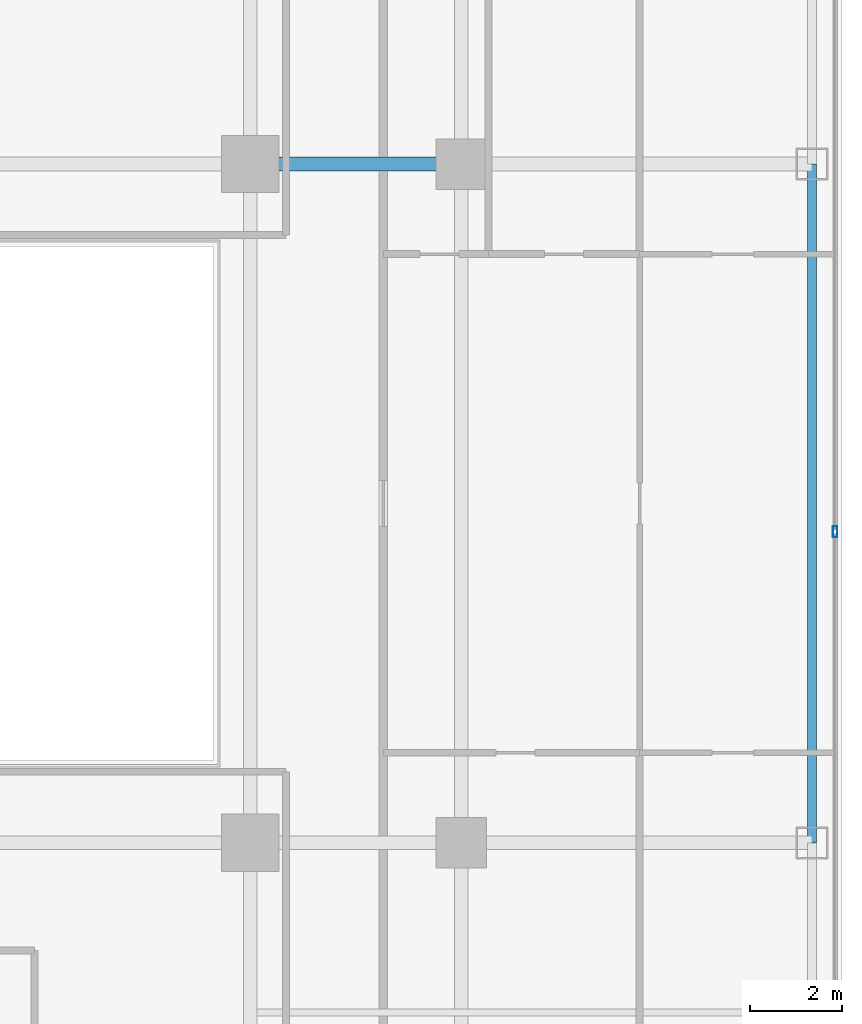
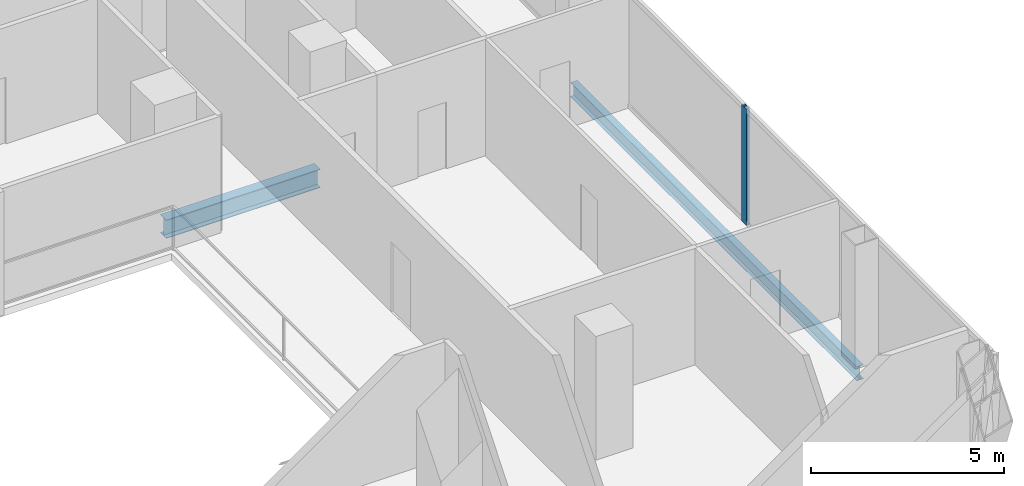
# One storey, part 11 of 28: 2 beams, 1 member, 1 element without a shape of its own.
"""IFC4 building model written with IfcOpenShell, lengths in metres."""

from ifc_helpers import new_model, si_unit, direction, frame, origin, origin_2d, place, context, subcontext, project, spatial, hollow_rectangle, i_section, extrude, material, layer, layer_set, material_profile, profile_set, type_object, element, aggregate, save


model = new_model("IFC4")

# Units and contexts
model_context = context("Model", 3, precision=1e-05, world=origin(), true_north=direction((0.0, 1.0)))
body_context = subcontext(model_context, "Body", "Model", "MODEL_VIEW")
ifc_project = project(units=[si_unit("LENGTHUNIT", "METRE"), si_unit("AREAUNIT", "SQUARE_METRE"), si_unit("VOLUMEUNIT", "CUBIC_METRE"), si_unit("PLANEANGLEUNIT", "RADIAN"), si_unit("MASSUNIT", "GRAM", prefix="KILO")], contexts=[model_context])

# Site, building, storey
site_placement = place(None, origin())
site = spatial("IfcSite", under=ifc_project, at=site_placement, CompositionType="ELEMENT")
building_placement = place(site_placement, origin())
building = spatial("IfcBuilding", under=site, at=building_placement, Name="Khorvyn Point Tower", CompositionType="ELEMENT")
storey_placement = place(building_placement, frame((0.0, 0.0, 121.199951171875)))
storey = spatial("IfcBuildingStorey", under=building, at=storey_placement, Name="L30", CompositionType="ELEMENT", Elevation=121.199951171875)

# Curtain wall, member
ifc_material_1 = material(Name="Anodised aluminium 6063-T6 and laminated Low-E glass", Category="aluminium")
ifc_layer = layer(ifc_material_1, 0.18994140625)
ifc_layer_set = layer_set([ifc_layer], Name="Stick-Built Acoustic Curtain Wall CW-SYS-03")
curtain_wall_type = type_object("IfcCurtainWallType", Name="Stick-Built Acoustic Curtain Wall CW-SYS-03", PredefinedType="NOTDEFINED", material=ifc_layer_set)
curtain_wall_placement = place(storey_placement, origin())
curtain_wall = element("IfcCurtainWall", 1, at=curtain_wall_placement, inside=storey, type_object=curtain_wall_type, Name="Curtain Wall", PredefinedType="NOTDEFINED")
ifc_material_2 = material(Name="Anodised aluminium 6063-T6", Category="aluminium")
ifc_material_profile_1 = material_profile(ifc_material_2, hollow_rectangle(XDim=0.10009765625, YDim=0.239990234375, WallThickness=0.0048828125, at=origin_2d()))
ifc_profile_set_1 = profile_set([ifc_material_profile_1], Name="Anodised aluminium 6063-T6 ALU-MUL-100x240")
member_type = type_object("IfcMemberType", Name="Anodised Aluminium 6063-T6 Mullion ALU-MUL-100x240", PredefinedType="MULLION", material=ifc_profile_set_1)
member_placement = place(storey_placement, frame((27.550048828125, -0.61669921875, 0.0), z_axis=(0.0, 0.0, 1.0), x_axis=(1.0, 0.0, 0.0)))
member = element("IfcMember", 2, at=member_placement, type_object=member_type, Name="Transom", PredefinedType="MULLION", context=body_context, shape_type="SweptSolid", body=[
    extrude(hollow_rectangle(XDim=0.10009765625, YDim=0.239990234375, WallThickness=0.0048828125, at=origin_2d()), origin(), (0.0, 0.0, 1.0), 3.679931640625),
])
aggregate(curtain_wall, [member])

# Beams
ifc_material_3 = material(Name="Steel S355", Category="steel")
ifc_material_profile_2 = material_profile(ifc_material_3, i_section(OverallWidth=0.300048828125, OverallDepth=0.587890625, WebThickness=0.011962890625, FlangeThickness=0.02001953125, at=origin_2d()))
ifc_profile_set_2 = profile_set([ifc_material_profile_2], Name="Steel S355 H588x300x12x20")
beam_type_1 = type_object("IfcBeamType", Name="Steel S355 Beam H588x300x12x20", PredefinedType="BEAM", material=ifc_profile_set_2)
beam_1_placement = place(storey_placement, frame((14.800048828125, 7.39990234375, -0.513916015625), z_axis=(1.0, 0.0, 0.0), x_axis=(0.0, 1.0, 0.0)))
element("IfcBeam", 3, at=beam_1_placement, inside=storey, type_object=beam_type_1, Name="Beam", PredefinedType="BEAM", context=body_context, shape_type="SweptSolid", body=[
    extrude(i_section(OverallWidth=0.300048828125, OverallDepth=0.587890625, WebThickness=0.011962890625, FlangeThickness=0.02001953125, at=origin_2d()), origin(), (0.0, 0.0, 1.0), 4.599853515625),
])
ifc_material_profile_3 = material_profile(ifc_material_3, i_section(OverallWidth=0.199951171875, OverallDepth=0.449951171875, WebThickness=0.009033203125, FlangeThickness=0.013916015625, at=origin_2d()))
ifc_profile_set_3 = profile_set([ifc_material_profile_3], Name="Steel S355 H450x200x9x14")
beam_type_2 = type_object("IfcBeamType", Name="Steel S355 Spandrel H450x200x9x14", PredefinedType="SPANDREL", material=ifc_profile_set_3)
beam_2_placement = place(storey_placement, frame((27.050048828125, -7.39990234375, -0.445068359375), z_axis=(0.0, 1.0, 0.0), x_axis=(-1.0, 0.0, 0.0)))
element("IfcBeam", 4, at=beam_2_placement, inside=storey, type_object=beam_type_2, Name="Beam", PredefinedType="SPANDREL", context=body_context, shape_type="SweptSolid", body=[
    extrude(i_section(OverallWidth=0.199951171875, OverallDepth=0.449951171875, WebThickness=0.009033203125, FlangeThickness=0.013916015625, at=origin_2d()), origin(), (0.0, 0.0, 1.0), 14.7998046875),
])

save(model, "model.ifc")
